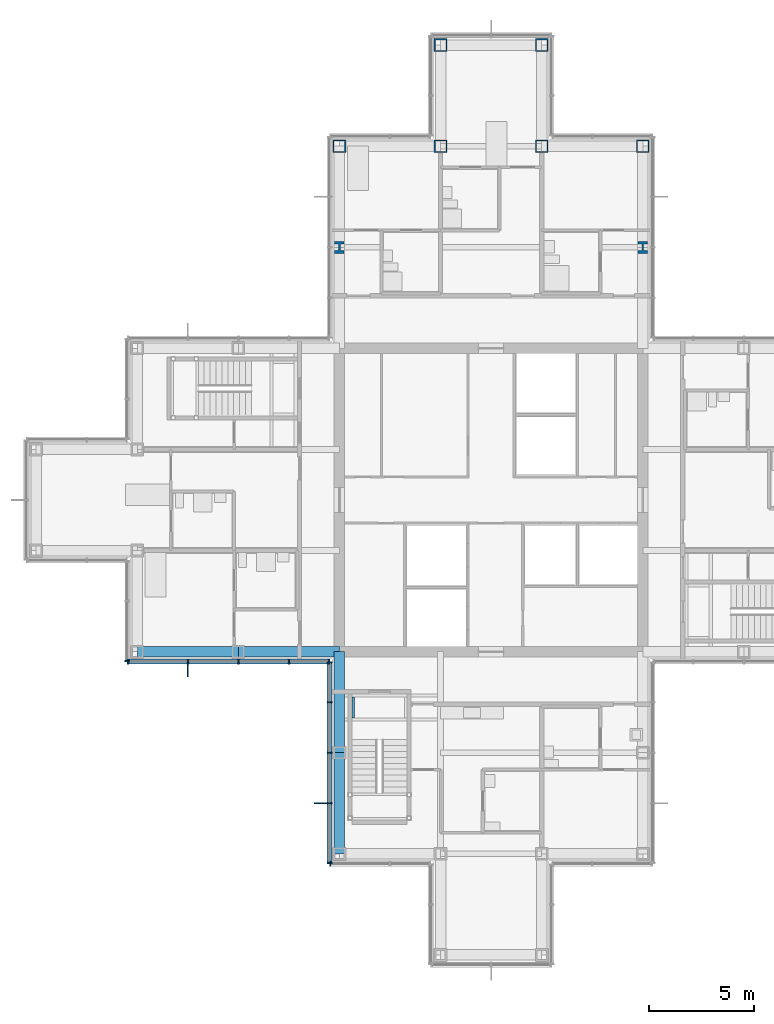
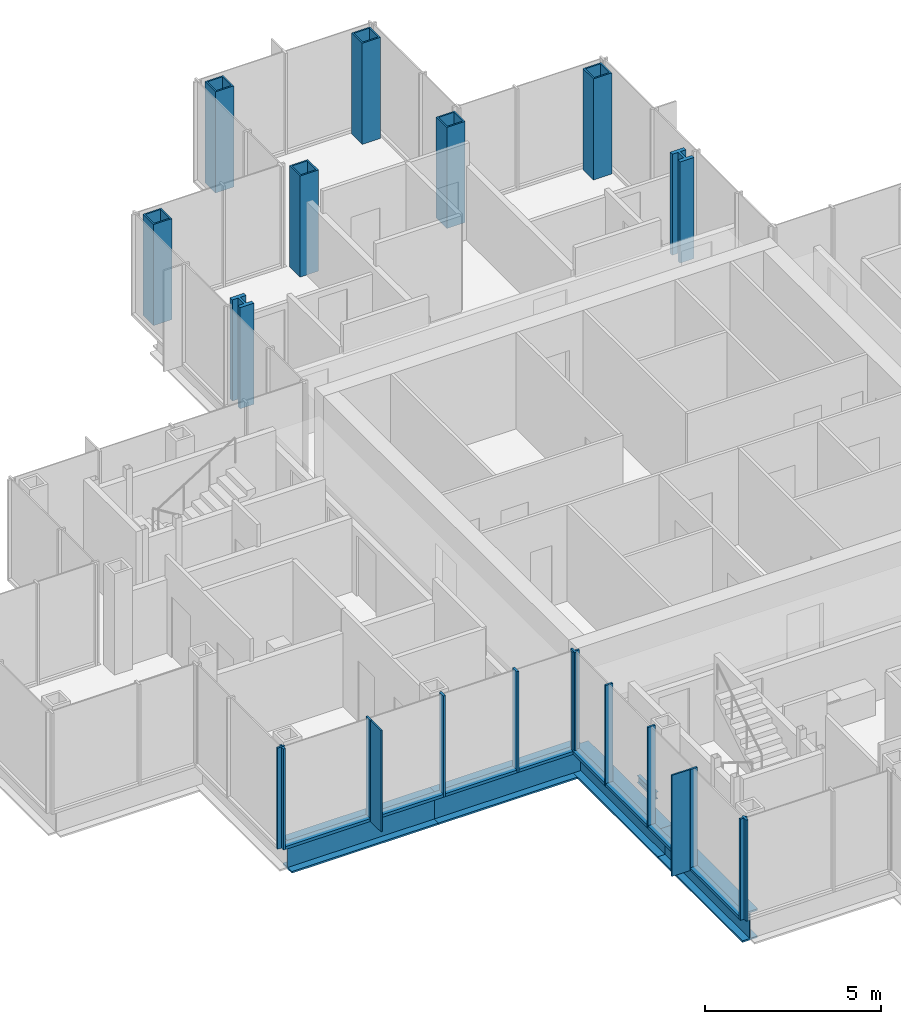
# One storey, part 5 of 17: 22 members, 8 columns, 5 beams, 4 elements without a shape of their own.
"""IFC4 building model written with IfcOpenShell, lengths in metres."""

import ifcopenshell
import ifcopenshell.guid

model = None  # the IFC model being written
_history = None  # IfcOwnerHistory: only IFC2X3 demands one
_inside = {}  # id of a spatial element -> (the spatial element, [elements in it])
_under = {}  # id of a project, library or spatial element -> (it, [spatial elements below it])
_declared = {}  # id of a project -> (the project, [libraries it declares])
_typed = {}  # id of a type object -> (the type object, [elements of that type])
_made_of = {}  # id of a material, layer set ... -> (it, [elements and type objects made of it])


def new_model(schema):
    """Start an empty IFC model of exactly this schema.

    Asked for "IFC4X3", IfcOpenShell would pick the latest addendum, in which some entities
    have other attributes; the version numbers below select the first issue.
    IFC2X3 requires an IfcOwnerHistory on every rooted entity: one is made here for all.
    """
    global model, _history
    if schema == "IFC4X3":
        model = ifcopenshell.file(schema_version=(4, 3, 0, 0))
    else:
        model = ifcopenshell.file(schema=schema)
    _inside.clear()
    _under.clear()
    _declared.clear()
    _typed.clear()
    _made_of.clear()
    _history = None
    if model.schema == "IFC2X3":
        org = make("IfcOrganization", Name="unknown")
        user = make(
            "IfcPersonAndOrganization",
            ThePerson=make("IfcPerson", FamilyName="unknown"),
            TheOrganization=org,
        )
        app = make(
            "IfcApplication",
            ApplicationDeveloper=org,
            Version="unknown",
            ApplicationFullName="unknown",
            ApplicationIdentifier="unknown",
        )
        _history = make(
            "IfcOwnerHistory",
            OwningUser=user,
            OwningApplication=app,
            ChangeAction="ADDED",
            CreationDate=0,
        )
    return model


def make(cls, **values):
    """One entity of the class cls with the attributes given. An attribute that is None is left unset."""
    return model.create_entity(
        cls, **{name: value for name, value in values.items() if value is not None}
    )


def rooted(cls, **values):
    """An entity with a GlobalId (a new one), such as an element, a storey or a relation."""
    return make(cls, GlobalId=ifcopenshell.guid.new(), OwnerHistory=_history, **values)


def si_unit(unit_type, name, prefix=None):
    """IfcSIUnit, for example si_unit("LENGTHUNIT", "METRE", prefix="MILLI")."""
    return make("IfcSIUnit", UnitType=unit_type, Prefix=prefix, Name=name)


def assignment(units):
    """IfcUnitAssignment: the units of a project."""
    return None if units is None else make("IfcUnitAssignment", Units=units)


def point(xyz):
    """IfcCartesianPoint."""
    return None if xyz is None else make("IfcCartesianPoint", Coordinates=xyz)


def direction(xyz):
    """IfcDirection."""
    return None if xyz is None else make("IfcDirection", DirectionRatios=xyz)


def frame(location, z_axis=None, x_axis=None):
    """IfcAxis2Placement3D, a coordinate frame: its origin and axes. An axis left out is left unset."""
    return make(
        "IfcAxis2Placement3D",
        Location=point(location),
        Axis=direction(z_axis),
        RefDirection=direction(x_axis),
    )


def frame_2d(location, x_axis=None):
    """IfcAxis2Placement2D, a coordinate frame in the plane: its origin and x axis."""
    return make(
        "IfcAxis2Placement2D", Location=point(location), RefDirection=direction(x_axis)
    )


def origin():
    """The frame at (0, 0, 0) with its axes left unset."""
    return frame((0.0, 0.0, 0.0))


def origin_2d():
    """The frame at (0, 0) in the plane with its x axis left unset."""
    return frame_2d((0.0, 0.0))


def place(relative_to, where):
    """IfcLocalPlacement: puts the frame where relative to a parent placement (None: the world)."""
    return make(
        "IfcLocalPlacement", PlacementRelTo=relative_to, RelativePlacement=where
    )


def context(
    kind, dimensions, precision=None, world=None, true_north=None, identifier=None
):
    """IfcGeometricRepresentationContext, for example the 3D "Model" context."""
    return make(
        "IfcGeometricRepresentationContext",
        ContextIdentifier=identifier,
        ContextType=kind,
        CoordinateSpaceDimension=dimensions,
        Precision=precision,
        WorldCoordinateSystem=world,
        TrueNorth=true_north,
    )


def subcontext(parent, identifier, kind, view, scale=None):
    """IfcGeometricRepresentationSubContext, for example "Body" below "Model"."""
    return make(
        "IfcGeometricRepresentationSubContext",
        ContextIdentifier=identifier,
        ContextType=kind,
        ParentContext=parent,
        TargetScale=scale,
        TargetView=view,
    )


def project(units=None, contexts=None):
    """IfcProject with its units and contexts."""
    return rooted(
        "IfcProject",
        Name="project",
        RepresentationContexts=contexts,
        UnitsInContext=assignment(units),
    )


def spatial(cls, under=None, at=None, **own):
    """A site, building, storey or space (cls), placed at a placement, below another one or the project."""
    s = rooted(cls, ObjectPlacement=at, **own)
    if under is not None:
        _under.setdefault(under.id(), (under, []))[1].append(s)
    return s


def profile(cls, at=None, kind="AREA", **sizes):
    """A parametric profile (cls). Its sizes go by their IFC names, for example OverallWidth=200.0."""
    return make(cls, ProfileType=kind, Position=at, **sizes)


def rectangle(**sizes):
    """IfcRectangleProfileDef."""
    return profile("IfcRectangleProfileDef", **sizes)


def hollow_rectangle(**sizes):
    """IfcRectangleHollowProfileDef."""
    return profile("IfcRectangleHollowProfileDef", **sizes)


def i_section(**sizes):
    """IfcIShapeProfileDef."""
    return profile("IfcIShapeProfileDef", **sizes)


def extrude(swept, where, along, depth):
    """IfcExtrudedAreaSolid: the profile swept, set in the frame where, extruded along a direction by depth."""
    return make(
        "IfcExtrudedAreaSolid",
        SweptArea=swept,
        Position=where,
        ExtrudedDirection=direction(along),
        Depth=depth,
    )


def shape(context_of_items, identifier, shape_type, items):
    """IfcShapeRepresentation: the items that make up one representation, for example the "Body"."""
    return make(
        "IfcShapeRepresentation",
        ContextOfItems=context_of_items,
        RepresentationIdentifier=identifier,
        RepresentationType=shape_type,
        Items=items,
    )


def material(Name=None, Category=None):
    """IfcMaterial."""
    return make("IfcMaterial", Name=Name, Category=Category)


def material_profile(
    of_material, cross_section, Name=None, Category=None, Priority=None
):
    """IfcMaterialProfile: a cross section and its material."""
    return make(
        "IfcMaterialProfile",
        Name=Name,
        Material=of_material,
        Profile=cross_section,
        Priority=Priority,
        Category=Category,
    )


def profile_set(profiles, Name=None, composite=None):
    """IfcMaterialProfileSet."""
    return make(
        "IfcMaterialProfileSet",
        Name=Name,
        MaterialProfiles=profiles,
        CompositeProfile=composite,
    )


def made_of(thing, what):
    """Note that an element or type object is made of a material, layer set ...; save() writes the relation."""
    if what is not None:
        _made_of.setdefault(what.id(), (what, []))[1].append(thing)
    return thing


def type_object(cls, material=None, **own):
    """A type object (cls), such as IfcWallType, which elements share."""
    return made_of(rooted(cls, **own), material)


def element(
    cls,
    number,
    at=None,
    inside=None,
    cuts=None,
    type_object=None,
    material=None,
    context=None,
    identifier="Body",
    shape_type=None,
    held_by="IfcProductDefinitionShape",
    body=None,
    shapes=None,
    **own,
):
    """One element of the class cls, such as IfcWall. Its Tag is "e" and its number.

    at: its placement. inside: the storey or other place that contains it. cuts: it is an
    opening in that element (IfcRelVoidsElement). A single representation is given by context,
    identifier, shape_type and body (its items); several are given by shapes. held_by: the class
    of the entity that holds the representations. save() writes the other relations.
    """
    e = rooted(cls, Tag="e%d" % number, ObjectPlacement=at, **own)
    if body is not None:
        shapes = [shape(context, identifier, shape_type, body)]
    if shapes is not None:
        e.Representation = make(held_by, Representations=shapes)
    if inside is not None:
        _inside.setdefault(inside.id(), (inside, []))[1].append(e)
    if cuts is not None:
        rooted(
            "IfcRelVoidsElement", RelatingBuildingElement=cuts, RelatedOpeningElement=e
        )
    if type_object is not None:
        _typed.setdefault(type_object.id(), (type_object, []))[1].append(e)
    return made_of(e, material)


def aggregate(whole, parts):
    """IfcRelAggregates: a whole, such as a stair, and the parts it consists of."""
    return rooted("IfcRelAggregates", RelatingObject=whole, RelatedObjects=parts)


def save(model, path):
    """Write the relations noted so far, then the file.

    IfcRelAggregates (storeys below a building ...), IfcRelContainedInSpatialStructure (elements
    in a storey), IfcRelDefinesByType, IfcRelAssociatesMaterial and IfcRelDeclares: one each for
    every whole, place, type object, material and project.
    """
    for whole, parts in _under.values():
        aggregate(whole, parts)
    for where, things in _inside.values():
        rooted(
            "IfcRelContainedInSpatialStructure",
            RelatedElements=things,
            RelatingStructure=where,
        )
    for kind, things in _typed.values():
        rooted("IfcRelDefinesByType", RelatedObjects=things, RelatingType=kind)
    for what, things in _made_of.values():
        rooted("IfcRelAssociatesMaterial", RelatedObjects=things, RelatingMaterial=what)
    for by, libraries in _declared.values():
        rooted("IfcRelDeclares", RelatingContext=by, RelatedDefinitions=libraries)
    model.write(path)


model = new_model("IFC4")

# Units and contexts
model_context = context("Model", 3, precision=1e-05, world=origin(), true_north=direction((0.0, 1.0)))
body_context = subcontext(model_context, "Body", "Model", "MODEL_VIEW")
ifc_project = project(units=[si_unit("LENGTHUNIT", "METRE"), si_unit("AREAUNIT", "SQUARE_METRE"), si_unit("VOLUMEUNIT", "CUBIC_METRE"), si_unit("PLANEANGLEUNIT", "RADIAN"), si_unit("MASSUNIT", "GRAM", prefix="KILO")], contexts=[model_context])

# Site, building, storey
site_placement = place(None, origin())
site = spatial("IfcSite", under=ifc_project, at=site_placement, CompositionType="ELEMENT")
building_placement = place(site_placement, origin())
building = spatial("IfcBuilding", under=site, at=building_placement, Name="Kvirike Care Tower", CompositionType="ELEMENT")
storey_placement = place(building_placement, frame((0.0, 0.0, 144.5)))
storey = spatial("IfcBuildingStorey", under=building, at=storey_placement, Name="L39", CompositionType="ELEMENT", Elevation=144.5)

# Columns
ifc_material_1 = material(Name="Steel S460", Category="steel")
ifc_material_profile_1 = material_profile(ifc_material_1, hollow_rectangle(XDim=0.60009765625, YDim=0.60009765625, WallThickness=0.050048828125, at=origin_2d()), Name="BX 600x600x50")
ifc_profile_set_1 = profile_set([ifc_material_profile_1], Name="Steel S460")
column_type_1 = type_object("IfcColumnType", Name="COLUMN BX 600x600x50", PredefinedType="COLUMN", material=ifc_profile_set_1)
for number, where, z_axis, x_axis, name in (
    (1, (14.39990234375, 52.800048828125, 0.0), (0.0, 0.0, 1.0), (0.0, 1.0, 0.0), "Column M6 L39"),
    (2, (19.199951171875, 52.800048828125, 0.0), (0.0, 0.0, 1.0), (0.0, 1.0, 0.0), "Column M7 L39"),
    (3, (19.199951171875, 57.60009765625, 0.0), (0.0, 0.0, 1.0), (0.0, 1.0, 0.0), "Column N7 L39"),
    (4, (24.0, 52.800048828125, 0.0), (0.0, 0.0, 1.0), (0.0, 1.0, 0.0), "Column M8 L39"),
    (5, (24.0, 57.60009765625, 0.0), (0.0, 0.0, 1.0), (0.0, 1.0, 0.0), "Column N8 L39"),
    (6, (28.800048828125, 52.800048828125, 0.0), (0.0, 0.0, 1.0), (0.0, 1.0, 0.0), "Column M9 L39"),
):
    element("IfcColumn", number, at=place(storey_placement, frame(where, z_axis=z_axis, x_axis=x_axis)), inside=storey, type_object=column_type_1, Name=name, PredefinedType="COLUMN", context=body_context, shape_type="SweptSolid", body=[
        extrude(hollow_rectangle(XDim=0.60009765625, YDim=0.60009765625, WallThickness=0.050048828125, at=origin_2d()), origin(), (0.0, 0.0, 1.0), 3.5),
    ])
ifc_material_2 = material(Name="Steel S460", Category="steel")
ifc_material_profile_2 = material_profile(ifc_material_2, i_section(OverallWidth=0.4541015625, OverallDepth=0.569091796875, WebThickness=0.077880859375, FlangeThickness=0.125, FilletRadius=0.014892578125, at=origin_2d()), Name="HD 400x1086")
ifc_profile_set_2 = profile_set([ifc_material_profile_2], Name="Steel S460")
column_type_2 = type_object("IfcColumnType", Name="COLUMN HD 400x1086", PredefinedType="COLUMN", material=ifc_profile_set_2)
for number, where, z_axis, x_axis, name in (
    (7, (14.39990234375, 48.0, 0.0), (0.0, 0.0, 1.0), (1.0, 0.0, 0.0), "Column L6 L39"),
    (8, (28.800048828125, 48.0, 0.0), (0.0, 0.0, 1.0), (1.0, 0.0, 0.0), "Column L9 L39"),
):
    element("IfcColumn", number, at=place(storey_placement, frame(where, z_axis=z_axis, x_axis=x_axis)), inside=storey, type_object=column_type_2, Name=name, PredefinedType="COLUMN", context=body_context, shape_type="SweptSolid", body=[
        extrude(i_section(OverallWidth=0.4541015625, OverallDepth=0.569091796875, WebThickness=0.077880859375, FlangeThickness=0.125, FilletRadius=0.014892578125, at=origin_2d()), origin(), (0.0, 0.0, 1.0), 3.5),
    ])

# Curtain wall, member
ifc_material_3 = material(Name="Anodised aluminium stick system", Category="aluminium")
curtain_wall_type = type_object("IfcCurtainWallType", Name="CW-C STICK CURTAIN WALL", PredefinedType="NOTDEFINED", material=ifc_material_3)
curtain_wall_1_placement = place(storey_placement, origin())
curtain_wall_1 = element("IfcCurtainWall", 9, at=curtain_wall_1_placement, inside=storey, type_object=curtain_wall_type, Name="Curtain wall L39 face 21", PredefinedType="NOTDEFINED")
ifc_material_4 = material(Name="Bronze anodised aluminium fin", Category="aluminium")
ifc_material_profile_3 = material_profile(ifc_material_4, rectangle(XDim=0.050048828125, YDim=0.60009765625, at=origin_2d()), Name="BRONZE FIN 600")
ifc_profile_set_3 = profile_set([ifc_material_profile_3], Name="Bronze anodised aluminium fin")
member_type_1 = type_object("IfcMemberType", Name="BRONZE FIN 600", PredefinedType="USERDEFINED", material=ifc_profile_set_3)
member_1_placement = place(storey_placement, frame((7.199951171875, 27.909912109375, 0.0), z_axis=(0.0, 0.0, 1.0), x_axis=(1.0, 0.0, 0.0)))
member_1 = element("IfcMember", 10, at=member_1_placement, type_object=member_type_1, Name="Bronze fin L39 face 21.2", ObjectType="FIN", PredefinedType="USERDEFINED", context=body_context, shape_type="SweptSolid", body=[
    extrude(rectangle(XDim=0.050048828125, YDim=0.60009765625, at=origin_2d()), origin(), (0.0, 0.0, 1.0), 3.5),
])

curtain_wall_2_placement = place(storey_placement, origin())
curtain_wall_2 = element("IfcCurtainWall", 11, at=curtain_wall_2_placement, inside=storey, type_object=curtain_wall_type, Name="Curtain wall L39 face 22", PredefinedType="NOTDEFINED")
member_2_placement = place(storey_placement, frame((13.510009765625, 21.60009765625, 0.0), z_axis=(0.0, 0.0, 1.0), x_axis=(0.0, -1.0, 0.0)))
member_2 = element("IfcMember", 12, at=member_2_placement, type_object=member_type_1, Name="Bronze fin L39 face 22.4", ObjectType="FIN", PredefinedType="USERDEFINED", context=body_context, shape_type="SweptSolid", body=[
    extrude(rectangle(XDim=0.050048828125, YDim=0.60009765625, at=origin_2d()), origin(), (0.0, 0.0, 1.0), 3.5),
])

curtain_wall_3_placement = place(storey_placement, origin())
curtain_wall_3 = element("IfcCurtainWall", 13, at=curtain_wall_3_placement, inside=storey, type_object=curtain_wall_type, Name="Curtain wall L39 face 20", PredefinedType="NOTDEFINED")
ifc_material_5 = material(Name="Bronze anodised aluminium mullion", Category="aluminium")
ifc_material_profile_4 = material_profile(ifc_material_5, rectangle(XDim=0.06494140625, YDim=0.239990234375, at=origin_2d()), Name="CW-C MULLION 65x240")
ifc_profile_set_4 = profile_set([ifc_material_profile_4], Name="Bronze anodised aluminium mullion")
member_type_2 = type_object("IfcMemberType", Name="CW-C MULLION 65x240", PredefinedType="MULLION", material=ifc_profile_set_4)
member_3_placement = place(storey_placement, frame((4.330078125, 28.362548828125, 0.0), z_axis=(0.0, 0.0, 1.0), x_axis=(0.0, -1.0, 0.0)))
member_3 = element("IfcMember", 14, at=member_3_placement, type_object=member_type_2, Name="CW-C mullion L39 face 20.3", PredefinedType="MULLION", context=body_context, shape_type="SweptSolid", body=[
    extrude(rectangle(XDim=0.06494140625, YDim=0.239990234375, at=origin_2d()), origin(), (0.0, 0.0, 1.0), 3.5),
])
aggregate(curtain_wall_3, [member_3])

# Member
member_4_placement = place(storey_placement, frame((4.362548828125, 28.330078125, 0.0), z_axis=(0.0, 0.0, 1.0), x_axis=(1.0, 0.0, 0.0)))
member_4 = element("IfcMember", 15, at=member_4_placement, type_object=member_type_2, Name="CW-C mullion L39 face 21.1", PredefinedType="MULLION", context=body_context, shape_type="SweptSolid", body=[
    extrude(rectangle(XDim=0.06494140625, YDim=0.239990234375, at=origin_2d()), origin(), (0.0, 0.0, 1.0), 3.5),
])

member_5_placement = place(storey_placement, frame((7.199951171875, 28.330078125, 0.0), z_axis=(0.0, 0.0, 1.0), x_axis=(1.0, 0.0, 0.0)))
member_5 = element("IfcMember", 16, at=member_5_placement, type_object=member_type_2, Name="CW-C mullion L39 face 21.2", PredefinedType="MULLION", context=body_context, shape_type="SweptSolid", body=[
    extrude(rectangle(XDim=0.06494140625, YDim=0.239990234375, at=origin_2d()), origin(), (0.0, 0.0, 1.0), 3.5),
])

member_6_placement = place(storey_placement, frame((9.60009765625, 28.330078125, 0.0), z_axis=(0.0, 0.0, 1.0), x_axis=(1.0, 0.0, 0.0)))
member_6 = element("IfcMember", 17, at=member_6_placement, type_object=member_type_2, Name="CW-C mullion L39 face 21.3", PredefinedType="MULLION", context=body_context, shape_type="SweptSolid", body=[
    extrude(rectangle(XDim=0.06494140625, YDim=0.239990234375, at=origin_2d()), origin(), (0.0, 0.0, 1.0), 3.5),
])

member_7_placement = place(storey_placement, frame((12.0, 28.330078125, 0.0), z_axis=(0.0, 0.0, 1.0), x_axis=(1.0, 0.0, 0.0)))
member_7 = element("IfcMember", 18, at=member_7_placement, type_object=member_type_2, Name="CW-C mullion L39 face 21.4", PredefinedType="MULLION", context=body_context, shape_type="SweptSolid", body=[
    extrude(rectangle(XDim=0.06494140625, YDim=0.239990234375, at=origin_2d()), origin(), (0.0, 0.0, 1.0), 3.5),
])

member_8_placement = place(storey_placement, frame((13.8974609375, 28.330078125, 0.0), z_axis=(0.0, 0.0, 1.0), x_axis=(1.0, 0.0, 0.0)))
member_8 = element("IfcMember", 19, at=member_8_placement, type_object=member_type_2, Name="CW-C mullion L39 face 21.5", PredefinedType="MULLION", context=body_context, shape_type="SweptSolid", body=[
    extrude(rectangle(XDim=0.06494140625, YDim=0.239990234375, at=origin_2d()), origin(), (0.0, 0.0, 1.0), 3.5),
])

member_9_placement = place(storey_placement, frame((13.929931640625, 28.297607421875, 0.0), z_axis=(0.0, 0.0, 1.0), x_axis=(0.0, -1.0, 0.0)))
member_9 = element("IfcMember", 20, at=member_9_placement, type_object=member_type_2, Name="CW-C mullion L39 face 22.1", PredefinedType="MULLION", context=body_context, shape_type="SweptSolid", body=[
    extrude(rectangle(XDim=0.06494140625, YDim=0.239990234375, at=origin_2d()), origin(), (0.0, 0.0, 1.0), 3.5),
])

member_10_placement = place(storey_placement, frame((13.929931640625, 26.39990234375, 0.0), z_axis=(0.0, 0.0, 1.0), x_axis=(0.0, -1.0, 0.0)))
member_10 = element("IfcMember", 21, at=member_10_placement, type_object=member_type_2, Name="CW-C mullion L39 face 22.2", PredefinedType="MULLION", context=body_context, shape_type="SweptSolid", body=[
    extrude(rectangle(XDim=0.06494140625, YDim=0.239990234375, at=origin_2d()), origin(), (0.0, 0.0, 1.0), 3.5),
])

member_11_placement = place(storey_placement, frame((13.929931640625, 24.0, 0.0), z_axis=(0.0, 0.0, 1.0), x_axis=(0.0, -1.0, 0.0)))
member_11 = element("IfcMember", 22, at=member_11_placement, type_object=member_type_2, Name="CW-C mullion L39 face 22.3", PredefinedType="MULLION", context=body_context, shape_type="SweptSolid", body=[
    extrude(rectangle(XDim=0.06494140625, YDim=0.239990234375, at=origin_2d()), origin(), (0.0, 0.0, 1.0), 3.5),
])

member_12_placement = place(storey_placement, frame((13.929931640625, 21.60009765625, 0.0), z_axis=(0.0, 0.0, 1.0), x_axis=(0.0, -1.0, 0.0)))
member_12 = element("IfcMember", 23, at=member_12_placement, type_object=member_type_2, Name="CW-C mullion L39 face 22.4", PredefinedType="MULLION", context=body_context, shape_type="SweptSolid", body=[
    extrude(rectangle(XDim=0.06494140625, YDim=0.239990234375, at=origin_2d()), origin(), (0.0, 0.0, 1.0), 3.5),
])

member_13_placement = place(storey_placement, frame((13.929931640625, 18.762451171875, 0.0), z_axis=(0.0, 0.0, 1.0), x_axis=(0.0, -1.0, 0.0)))
member_13 = element("IfcMember", 24, at=member_13_placement, type_object=member_type_2, Name="CW-C mullion L39 face 22.5", PredefinedType="MULLION", context=body_context, shape_type="SweptSolid", body=[
    extrude(rectangle(XDim=0.06494140625, YDim=0.239990234375, at=origin_2d()), origin(), (0.0, 0.0, 1.0), 3.5),
])

# Curtain wall, member
curtain_wall_4_placement = place(storey_placement, origin())
curtain_wall_4 = element("IfcCurtainWall", 25, at=curtain_wall_4_placement, inside=storey, type_object=curtain_wall_type, Name="Curtain wall L39 face 23", PredefinedType="NOTDEFINED")
member_14_placement = place(storey_placement, frame((13.96240234375, 18.72998046875, 0.0), z_axis=(0.0, 0.0, 1.0), x_axis=(1.0, 0.0, 0.0)))
member_14 = element("IfcMember", 26, at=member_14_placement, type_object=member_type_2, Name="CW-C mullion L39 face 23.1", PredefinedType="MULLION", context=body_context, shape_type="SweptSolid", body=[
    extrude(rectangle(XDim=0.06494140625, YDim=0.239990234375, at=origin_2d()), origin(), (0.0, 0.0, 1.0), 3.5),
])
aggregate(curtain_wall_4, [member_14])

# Member
ifc_material_6 = material(Name="Bronze anodised aluminium transom", Category="aluminium")
ifc_material_profile_5 = material_profile(ifc_material_6, rectangle(XDim=0.239990234375, YDim=0.10009765625, at=origin_2d()), Name="CW-C TRANSOM 240x100")
ifc_profile_set_5 = profile_set([ifc_material_profile_5], Name="Bronze anodised aluminium transom")
member_type_3 = type_object("IfcMemberType", Name="CW-C TRANSOM 240x100", PredefinedType="USERDEFINED", material=ifc_profile_set_5)
member_15_placement = place(storey_placement, frame((4.39501953125, 28.330078125, 0.050048828125), z_axis=(1.0, 0.0, 0.0), x_axis=(0.0, 1.0, 0.0)))
member_15 = element("IfcMember", 27, at=member_15_placement, type_object=member_type_3, Name="CW-C sill transom L39 face 21.1", ObjectType="TRANSOM", PredefinedType="USERDEFINED", context=body_context, shape_type="SweptSolid", body=[
    extrude(rectangle(XDim=0.239990234375, YDim=0.10009765625, at=origin_2d()), origin(), (0.0, 0.0, 1.0), 2.7724609375),
])

member_16_placement = place(storey_placement, frame((7.232421875, 28.330078125, 0.050048828125), z_axis=(1.0, 0.0, 0.0), x_axis=(0.0, 1.0, 0.0)))
member_16 = element("IfcMember", 28, at=member_16_placement, type_object=member_type_3, Name="CW-C sill transom L39 face 21.2", ObjectType="TRANSOM", PredefinedType="USERDEFINED", context=body_context, shape_type="SweptSolid", body=[
    extrude(rectangle(XDim=0.239990234375, YDim=0.10009765625, at=origin_2d()), origin(), (0.0, 0.0, 1.0), 2.3349609375),
])

member_17_placement = place(storey_placement, frame((9.632568359375, 28.330078125, 0.050048828125), z_axis=(1.0, 0.0, 0.0), x_axis=(0.0, 1.0, 0.0)))
member_17 = element("IfcMember", 29, at=member_17_placement, type_object=member_type_3, Name="CW-C sill transom L39 face 21.3", ObjectType="TRANSOM", PredefinedType="USERDEFINED", context=body_context, shape_type="SweptSolid", body=[
    extrude(rectangle(XDim=0.239990234375, YDim=0.10009765625, at=origin_2d()), origin(), (0.0, 0.0, 1.0), 2.3349609375),
])

member_18_placement = place(storey_placement, frame((12.032470703125, 28.330078125, 0.050048828125), z_axis=(1.0, 0.0, 0.0), x_axis=(0.0, 1.0, 0.0)))
member_18 = element("IfcMember", 30, at=member_18_placement, type_object=member_type_3, Name="CW-C sill transom L39 face 21.4", ObjectType="TRANSOM", PredefinedType="USERDEFINED", context=body_context, shape_type="SweptSolid", body=[
    extrude(rectangle(XDim=0.239990234375, YDim=0.10009765625, at=origin_2d()), origin(), (0.0, 0.0, 1.0), 1.83251953125),
])

aggregate(curtain_wall_1, [member_4, member_5, member_1, member_6, member_7, member_8, member_15, member_16, member_17, member_18])

member_19_placement = place(storey_placement, frame((13.929931640625, 28.264892578125, 0.050048828125), z_axis=(0.0, -1.0, 0.0), x_axis=(1.0, 0.0, 0.0)))
member_19 = element("IfcMember", 31, at=member_19_placement, type_object=member_type_3, Name="CW-C sill transom L39 face 22.1", ObjectType="TRANSOM", PredefinedType="USERDEFINED", context=body_context, shape_type="SweptSolid", body=[
    extrude(rectangle(XDim=0.239990234375, YDim=0.10009765625, at=origin_2d()), origin(), (0.0, 0.0, 1.0), 1.832275390625),
])

member_20_placement = place(storey_placement, frame((13.929931640625, 26.367431640625, 0.050048828125), z_axis=(0.0, -1.0, 0.0), x_axis=(1.0, 0.0, 0.0)))
member_20 = element("IfcMember", 32, at=member_20_placement, type_object=member_type_3, Name="CW-C sill transom L39 face 22.2", ObjectType="TRANSOM", PredefinedType="USERDEFINED", context=body_context, shape_type="SweptSolid", body=[
    extrude(rectangle(XDim=0.239990234375, YDim=0.10009765625, at=origin_2d()), origin(), (0.0, 0.0, 1.0), 2.3349609375),
])

member_21_placement = place(storey_placement, frame((13.929931640625, 23.967529296875, 0.050048828125), z_axis=(0.0, -1.0, 0.0), x_axis=(1.0, 0.0, 0.0)))
member_21 = element("IfcMember", 33, at=member_21_placement, type_object=member_type_3, Name="CW-C sill transom L39 face 22.3", ObjectType="TRANSOM", PredefinedType="USERDEFINED", context=body_context, shape_type="SweptSolid", body=[
    extrude(rectangle(XDim=0.239990234375, YDim=0.10009765625, at=origin_2d()), origin(), (0.0, 0.0, 1.0), 2.3349609375),
])

member_22_placement = place(storey_placement, frame((13.929931640625, 21.5673828125, 0.050048828125), z_axis=(0.0, -1.0, 0.0), x_axis=(1.0, 0.0, 0.0)))
member_22 = element("IfcMember", 34, at=member_22_placement, type_object=member_type_3, Name="CW-C sill transom L39 face 22.4", ObjectType="TRANSOM", PredefinedType="USERDEFINED", context=body_context, shape_type="SweptSolid", body=[
    extrude(rectangle(XDim=0.239990234375, YDim=0.10009765625, at=origin_2d()), origin(), (0.0, 0.0, 1.0), 2.7724609375),
])

aggregate(curtain_wall_2, [member_9, member_10, member_11, member_12, member_2, member_13, member_19, member_20, member_21, member_22])

# Beams
ifc_material_7 = material(Name="Steel S355", Category="steel")
ifc_material_profile_6 = material_profile(ifc_material_7, i_section(OverallWidth=0.5, OverallDepth=1.0, WebThickness=0.030029296875, FlangeThickness=0.06005859375, at=origin_2d()), Name="PG 1000x500x30x60")
ifc_profile_set_6 = profile_set([ifc_material_profile_6], Name="Steel S355")
beam_type_1 = type_object("IfcBeamType", Name="SPANDREL PG 1000x500x30x60", PredefinedType="SPANDREL", material=ifc_profile_set_6)
beam_1_placement = place(storey_placement, frame((4.800048828125, 28.800048828125, -0.669921875), z_axis=(1.0, 0.0, 0.0), x_axis=(0.0, 1.0, 0.0)))
element("IfcBeam", 35, at=beam_1_placement, inside=storey, type_object=beam_type_1, Name="Spandrel G4-G5 L39", PredefinedType="SPANDREL", context=body_context, shape_type="SweptSolid", body=[
    extrude(i_section(OverallWidth=0.5, OverallDepth=1.0, WebThickness=0.030029296875, FlangeThickness=0.06005859375, at=origin_2d()), origin(), (0.0, 0.0, 1.0), 4.800048828125),
])
beam_2_placement = place(storey_placement, frame((9.60009765625, 28.800048828125, -0.669921875), z_axis=(1.0, 0.0, 0.0), x_axis=(0.0, 1.0, 0.0)))
element("IfcBeam", 36, at=beam_2_placement, inside=storey, type_object=beam_type_1, Name="Spandrel G5-G6 L39", PredefinedType="SPANDREL", context=body_context, shape_type="SweptSolid", body=[
    extrude(i_section(OverallWidth=0.5, OverallDepth=1.0, WebThickness=0.030029296875, FlangeThickness=0.06005859375, at=origin_2d()), origin(), (0.0, 0.0, 1.0), 4.7998046875),
])
for number, where, z_axis, x_axis, name in (
    (37, (14.39990234375, 19.199951171875, -0.669921875), (0.0, 1.0, 0.0), (-1.0, 0.0, 0.0), "Spandrel E6-F6 L39"),
    (38, (14.39990234375, 24.0, -0.669921875), (0.0, 1.0, 0.0), (-1.0, 0.0, 0.0), "Spandrel F6-G6 L39"),
):
    element("IfcBeam", number, at=place(storey_placement, frame(where, z_axis=z_axis, x_axis=x_axis)), inside=storey, type_object=beam_type_1, Name=name, PredefinedType="SPANDREL", context=body_context, shape_type="SweptSolid", body=[
        extrude(i_section(OverallWidth=0.5, OverallDepth=1.0, WebThickness=0.030029296875, FlangeThickness=0.06005859375, at=origin_2d()), origin(), (0.0, 0.0, 1.0), 4.800048828125),
    ])
ifc_material_8 = material(Name="Steel S355", Category="steel")
ifc_material_profile_7 = material_profile(ifc_material_8, i_section(OverallWidth=0.1201171875, OverallDepth=0.239990234375, WebThickness=0.006103515625, FlangeThickness=0.009765625, FilletRadius=0.014892578125, at=origin_2d()), Name="IPE 240")
ifc_profile_set_7 = profile_set([ifc_material_profile_7], Name="Steel S355")
beam_type_2 = type_object("IfcBeamType", Name="STAIR LANDING BEAM IPE 240", PredefinedType="BEAM", material=ifc_profile_set_7)
beam_3_placement = place(storey_placement, frame((15.06005859375, 25.64990234375, -0.320068359375), z_axis=(0.0, 1.0, 0.0), x_axis=(-1.0, 0.0, 0.0)))
element("IfcBeam", 39, at=beam_3_placement, inside=storey, type_object=beam_type_2, Name="Stair 5 landing edge beam 1 L39", PredefinedType="BEAM", context=body_context, shape_type="SweptSolid", body=[
    extrude(i_section(OverallWidth=0.1201171875, OverallDepth=0.239990234375, WebThickness=0.006103515625, FlangeThickness=0.009765625, FilletRadius=0.014892578125, at=origin_2d()), origin(), (0.0, 0.0, 1.0), 1.0),
])

save(model, "model.ifc")
